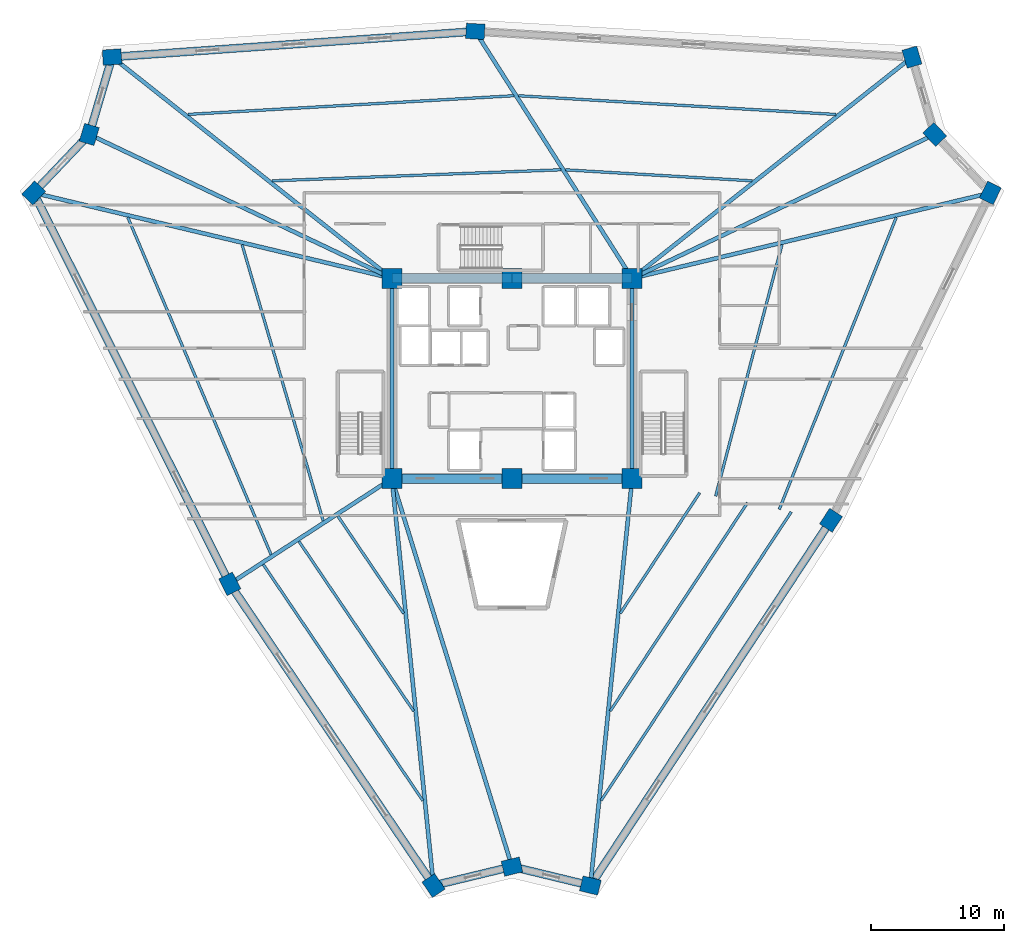
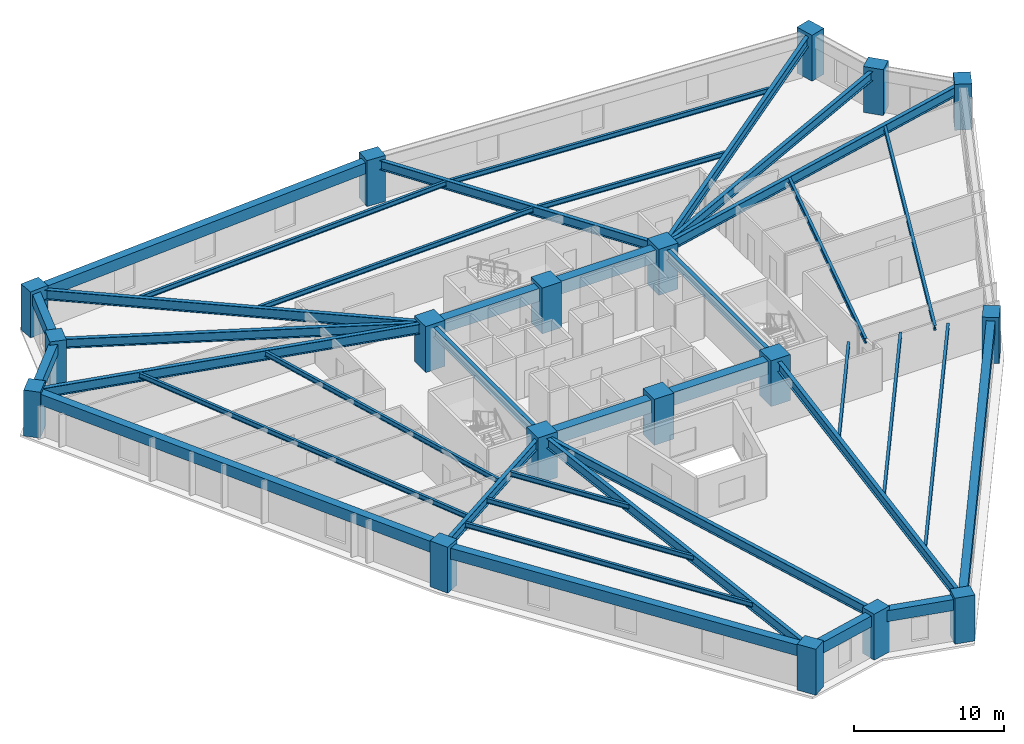
# One storey, part 1 of 8: 39 beams, 18 columns.
"""IFC4 building model written with IfcOpenShell, lengths in metres."""

from ifc_helpers import new_model, si_unit, direction, frame, origin, origin_2d, place, context, subcontext, project, spatial, rectangle, i_section, extrude, source, transform, mapped, material, material_profile, profile_set, type_object, element, save


model = new_model("IFC4")

# Units and contexts
model_context = context("Model", 3, precision=1e-05, world=origin(), true_north=direction((0.0, 1.0)))
body_context = subcontext(model_context, "Body", "Model", "MODEL_VIEW")
ifc_project = project(units=[si_unit("LENGTHUNIT", "METRE"), si_unit("AREAUNIT", "SQUARE_METRE"), si_unit("VOLUMEUNIT", "CUBIC_METRE"), si_unit("PLANEANGLEUNIT", "RADIAN"), si_unit("MASSUNIT", "GRAM", prefix="KILO")], contexts=[model_context])

# Site, building, storey
site_placement = place(None, origin())
site = spatial("IfcSite", under=ifc_project, at=site_placement, CompositionType="ELEMENT")
building_placement = place(site_placement, origin())
building = spatial("IfcBuilding", under=site, at=building_placement, Name="Liaohun Quay Tower", CompositionType="ELEMENT")
storey_placement = place(building_placement, frame((0.0, 0.0, 135.75)))
storey = spatial("IfcBuildingStorey", under=building, at=storey_placement, Name="L35", CompositionType="ELEMENT", Elevation=135.75)

# Columns
ifc_material_1 = material(Name="Concrete C60", Category="concrete")
ifc_material_profile_1 = material_profile(ifc_material_1, rectangle(XDim=1.5, YDim=1.5, at=origin_2d()), Name="RC1500x1500")
ifc_profile_set_1 = profile_set([ifc_material_profile_1], Name="Concrete C60")
column_type_1 = type_object("IfcColumnType", Name="COL-CC-Z2", PredefinedType="COLUMN", material=ifc_profile_set_1)
shared_shape_1 = source(origin(), body_context, "Body", "SweptSolid", [
    extrude(rectangle(XDim=1.5, YDim=1.5, at=origin_2d()), origin(), (0.0, 0.0, 1.0), 3.75),
])
for number, where, z_axis, x_axis, name in (
    (1, (51.0, 46.5, 0.0), (0.0, 0.0, 1.0), (1.0, 0.0, 0.0), "L35 Core Column CC1"),
    (2, (60.0, 46.5, 0.0), (0.0, 0.0, 1.0), (1.0, 0.0, 0.0), "L35 Core Column CC2"),
    (3, (69.0, 46.5, 0.0), (0.0, 0.0, 1.0), (1.0, 0.0, 0.0), "L35 Core Column CC3"),
    (4, (69.0, 61.5, 0.0), (0.0, 0.0, 1.0), (1.0, 0.0, 0.0), "L35 Core Column CC4"),
    (5, (60.0, 61.5, 0.0), (0.0, 0.0, 1.0), (1.0, 0.0, 0.0), "L35 Core Column CC5"),
    (6, (51.0, 61.5, 0.0), (0.0, 0.0, 1.0), (1.0, 0.0, 0.0), "L35 Core Column CC6"),
):
    element("IfcColumn", number, at=place(storey_placement, frame(where, z_axis=z_axis, x_axis=x_axis)), inside=storey, type_object=column_type_1, Name=name, PredefinedType="COLUMN", context=body_context, shape_type="MappedRepresentation", body=[
        mapped(shared_shape_1, transform((0.0, 0.0, 0.0), x_axis=(1.0, 0.0, 0.0), y_axis=(0.0, 1.0, 0.0), z_axis=(0.0, 0.0, 1.0), scale=1.0)),
    ])
ifc_material_profile_2 = material_profile(ifc_material_1, rectangle(XDim=1.39990234375, YDim=1.14990234375, at=origin_2d()), Name="RC1400x1150")
ifc_profile_set_2 = profile_set([ifc_material_profile_2], Name="Concrete C60")
column_type_2 = type_object("IfcColumnType", Name="COL-PIER-Z2", PredefinedType="COLUMN", material=ifc_profile_set_2)
shared_shape_2 = source(origin(), body_context, "Body", "SweptSolid", [
    extrude(rectangle(XDim=1.39990234375, YDim=1.14990234375, at=origin_2d()), origin(), (0.0, 0.0, 1.0), 3.75),
])
for number, where, z_axis, x_axis, name in (
    (7, (54.123046875, 16.014892578125, 0.0), (0.0, 0.0, 1.0), (-0.559771544562, 0.828646980263, 0.0), "L35 Perimeter Pier PC01"),
    (8, (38.85400390625, 38.616943359375, 0.0), (0.0, 0.0, 1.0), (-0.448071179262, 0.893997884961, 0.0), "L35 Perimeter Pier PC02"),
    (9, (24.1708984375, 67.908935546875, 0.0), (0.0, 0.0, 1.0), (0.68936671806, 0.724412539946, 0.0), "L35 Perimeter Pier PC03"),
    (10, (28.3330078125, 72.282958984375, 0.0), (0.0, 0.0, 1.0), (0.282676303383, 0.959215360337, 0.0), "L35 Perimeter Pier PC04"),
    (11, (30.04296875, 78.08203125, 0.0), (0.0, 0.0, 1.0), (0.997515107958, 0.070452887775, 0.0), "L35 Perimeter Pier PC05"),
    (12, (57.25, 80.00390625, 0.0), (0.0, 0.0, 1.0), (-0.998260468937, 0.058957918535, 0.0), "L35 Perimeter Pier PC06"),
    (13, (89.9599609375, 78.074951171875, 0.0), (0.0, 0.0, 1.0), (-0.282676303383, 0.959215360337, 0.0), "L35 Perimeter Pier PC07"),
    (14, (91.6669921875, 72.282958984375, 0.0), (0.0, 0.0, 1.0), (-0.68936671806, 0.724412539946, 0.0), "L35 Perimeter Pier PC08"),
    (15, (95.833984375, 67.903076171875, 0.0), (0.0, 0.0, 1.0), (0.437743563395, 0.899099868038, 0.0), "L35 Perimeter Pier PC09"),
    (16, (83.89501953125, 43.3798828125, 0.0), (0.0, 0.0, 1.0), (0.550043539327, 0.835135979853, 0.0), "L35 Perimeter Pier PC10"),
    (17, (65.8701171875, 16.01708984375, 0.0), (0.0, 0.0, 1.0), (-0.972043021443, 0.234802820391, 0.0), "L35 Perimeter Pier PC11"),
    (18, (60.0, 17.43408203125, 0.0), (0.0, 0.0, 1.0), (0.972043021443, 0.234802820391, 0.0), "L35 Perimeter Pier PC12"),
):
    element("IfcColumn", number, at=place(storey_placement, frame(where, z_axis=z_axis, x_axis=x_axis)), inside=storey, type_object=column_type_2, Name=name, PredefinedType="COLUMN", context=body_context, shape_type="MappedRepresentation", body=[
        mapped(shared_shape_2, transform((0.0, 0.0, 0.0), x_axis=(1.0, 0.0, 0.0), y_axis=(0.0, 1.0, 0.0), z_axis=(0.0, 0.0, 1.0), scale=1.0)),
    ])

# Beams
ifc_material_profile_3 = material_profile(ifc_material_1, rectangle(XDim=0.699951171875, YDim=1.050048828125, at=origin_2d()), Name="RC700x1050")
ifc_profile_set_3 = profile_set([ifc_material_profile_3], Name="Concrete C60")
beam_type_1 = type_object("IfcBeamType", Name="BM-CPL-1", PredefinedType="LINTEL", material=ifc_profile_set_3)
shared_shape_3 = source(origin(), body_context, "Body", "SweptSolid", [
    extrude(rectangle(XDim=0.699951171875, YDim=1.050048828125, at=origin_2d()), origin(), (0.0, 0.0, 1.0), 9.0),
])
for number, where, z_axis, x_axis, name in (
    (19, (51.0, 46.5, 2.945068359375), (1.0, 0.0, 0.0), (0.0, 1.0, 0.0), "L35 Core Coupling/Ring Beam CC1-CC2"),
    (20, (60.0, 46.5, 2.945068359375), (1.0, 0.0, 0.0), (0.0, 1.0, 0.0), "L35 Core Coupling/Ring Beam CC2-CC3"),
    (21, (69.0, 61.5, 2.945068359375), (-1.0, 0.0, 0.0), (0.0, -1.0, 0.0), "L35 Core Coupling/Ring Beam CC4-CC5"),
    (22, (60.0, 61.5, 2.945068359375), (-1.0, 0.0, 0.0), (0.0, -1.0, 0.0), "L35 Core Coupling/Ring Beam CC5-CC6"),
):
    element("IfcBeam", number, at=place(storey_placement, frame(where, z_axis=z_axis, x_axis=x_axis)), inside=storey, type_object=beam_type_1, Name=name, PredefinedType="LINTEL", context=body_context, shape_type="MappedRepresentation", body=[
        mapped(shared_shape_3, transform((0.0, 0.0, 0.0), x_axis=(1.0, 0.0, 0.0), y_axis=(0.0, 1.0, 0.0), z_axis=(0.0, 0.0, 1.0), scale=1.0)),
    ])
ifc_material_2 = material(Name="Steel Q355D", Category="steel")
ifc_material_profile_4 = material_profile(ifc_material_2, i_section(OverallWidth=0.300048828125, OverallDepth=0.800048828125, WebThickness=0.013916015625, FlangeThickness=0.02587890625, at=origin_2d()), Name="HN800x300x14x26")
ifc_profile_set_4 = profile_set([ifc_material_profile_4], Name="Steel Q355D")
beam_type_2 = type_object("IfcBeamType", Name="BM-RAD-M1", PredefinedType="BEAM", material=ifc_profile_set_4)
shared_shape_4 = source(origin(), body_context, "Body", "SweptSolid", [
    extrude(i_section(OverallWidth=0.300048828125, OverallDepth=0.800048828125, WebThickness=0.013916015625, FlangeThickness=0.02587890625, at=origin_2d()), origin(), (0.0, 0.0, 1.0), 15.0),
])
for number, where, z_axis, x_axis, name in (
    (23, (69.0, 46.5, 3.070068359375), (0.0, 1.0, 0.0), (-1.0, 0.0, 0.0), "L35 Core Coupling/Ring Beam CC3-CC4"),
    (24, (51.0, 61.5, 3.070068359375), (0.0, -1.0, 0.0), (1.0, 0.0, 0.0), "L35 Core Coupling/Ring Beam CC6-CC1"),
):
    element("IfcBeam", number, at=place(storey_placement, frame(where, z_axis=z_axis, x_axis=x_axis)), inside=storey, type_object=beam_type_2, Name=name, PredefinedType="BEAM", context=body_context, shape_type="MappedRepresentation", body=[
        mapped(shared_shape_4, transform((0.0, 0.0, 0.0), x_axis=(1.0, 0.0, 0.0), y_axis=(0.0, 1.0, 0.0), z_axis=(0.0, 0.0, 1.0), scale=1.0)),
    ])
shared_shape_5 = source(origin(), body_context, "Body", "SweptSolid", [
    extrude(i_section(OverallWidth=0.300048828125, OverallDepth=0.800048828125, WebThickness=0.013916015625, FlangeThickness=0.02587890625, at=origin_2d()), origin(), (0.0, 0.0, 1.0), 30.644775390625),
])
beam_1_placement = place(storey_placement, frame((51.0, 46.5, 3.070068359375), z_axis=(0.101911617186, -0.994793457097, 0.0), x_axis=(0.994793457097, 0.101911617186, 0.0)))
element("IfcBeam", 25, at=beam_1_placement, inside=storey, type_object=beam_type_2, Name="L35 Radial Primary Girder CC1-PC01", PredefinedType="BEAM", context=body_context, shape_type="MappedRepresentation", body=[
    mapped(shared_shape_5, transform((0.0, 0.0, 0.0), x_axis=(1.0, 0.0, 0.0), y_axis=(0.0, 1.0, 0.0), z_axis=(0.0, 0.0, 1.0), scale=1.0)),
])
ifc_material_profile_5 = material_profile(ifc_material_2, i_section(OverallWidth=0.300048828125, OverallDepth=0.75, WebThickness=0.013916015625, FlangeThickness=0.02587890625, at=origin_2d()), Name="HN750x300x14x26")
ifc_profile_set_5 = profile_set([ifc_material_profile_5], Name="Steel Q355D")
beam_type_3 = type_object("IfcBeamType", Name="BM-RAD-M2", PredefinedType="BEAM", material=ifc_profile_set_5)
shared_shape_6 = source(origin(), body_context, "Body", "SweptSolid", [
    extrude(i_section(OverallWidth=0.300048828125, OverallDepth=0.75, WebThickness=0.013916015625, FlangeThickness=0.02587890625, at=origin_2d()), origin(), (0.0, 0.0, 1.0), 14.47998046875),
])
beam_2_placement = place(storey_placement, frame((51.0, 46.5, 3.094970703125), z_axis=(-0.838817079565, -0.544413360444, 0.0), x_axis=(0.544413360444, -0.838817079565, 0.0)))
element("IfcBeam", 26, at=beam_2_placement, inside=storey, type_object=beam_type_3, Name="L35 Radial Primary Girder CC1-PC02", PredefinedType="BEAM", context=body_context, shape_type="MappedRepresentation", body=[
    mapped(shared_shape_6, transform((0.0, 0.0, 0.0), x_axis=(1.0, 0.0, 0.0), y_axis=(0.0, 1.0, 0.0), z_axis=(0.0, 0.0, 1.0), scale=1.0)),
])
shared_shape_7 = source(origin(), body_context, "Body", "SweptSolid", [
    extrude(i_section(OverallWidth=0.300048828125, OverallDepth=0.800048828125, WebThickness=0.013916015625, FlangeThickness=0.02587890625, at=origin_2d()), origin(), (0.0, 0.0, 1.0), 27.583984375),
])
beam_3_placement = place(storey_placement, frame((51.0, 61.5, 3.070068359375), z_axis=(-0.972633963366, 0.232342792672, 0.0), x_axis=(-0.232342792672, -0.972633963366, 0.0)))
element("IfcBeam", 27, at=beam_3_placement, inside=storey, type_object=beam_type_2, Name="L35 Radial Primary Girder CC6-PC03", PredefinedType="BEAM", context=body_context, shape_type="MappedRepresentation", body=[
    mapped(shared_shape_7, transform((0.0, 0.0, 0.0), x_axis=(1.0, 0.0, 0.0), y_axis=(0.0, 1.0, 0.0), z_axis=(0.0, 0.0, 1.0), scale=1.0)),
])
shared_shape_8 = source(origin(), body_context, "Body", "SweptSolid", [
    extrude(i_section(OverallWidth=0.300048828125, OverallDepth=0.75, WebThickness=0.013916015625, FlangeThickness=0.02587890625, at=origin_2d()), origin(), (0.0, 0.0, 1.0), 25.10107421875),
])
for number, where, z_axis, x_axis, name in (
    (28, (51.0, 61.5, 3.094970703125), (-0.903028188257, 0.429581297561, 0.0), (-0.429581297561, -0.903028188257, 0.0), "L35 Radial Primary Girder CC6-PC04"),
    (29, (69.0, 61.5, 3.094970703125), (0.903028188257, 0.429581297561, 0.0), (-0.429581297561, 0.903028188257, 0.0), "L35 Radial Primary Girder CC4-PC08"),
):
    element("IfcBeam", number, at=place(storey_placement, frame(where, z_axis=z_axis, x_axis=x_axis)), inside=storey, type_object=beam_type_3, Name=name, PredefinedType="BEAM", context=body_context, shape_type="MappedRepresentation", body=[
        mapped(shared_shape_8, transform((0.0, 0.0, 0.0), x_axis=(1.0, 0.0, 0.0), y_axis=(0.0, 1.0, 0.0), z_axis=(0.0, 0.0, 1.0), scale=1.0)),
    ])
shared_shape_9 = source(origin(), body_context, "Body", "SweptSolid", [
    extrude(i_section(OverallWidth=0.300048828125, OverallDepth=0.800048828125, WebThickness=0.013916015625, FlangeThickness=0.02587890625, at=origin_2d()), origin(), (0.0, 0.0, 1.0), 26.723876953125),
])
beam_4_placement = place(storey_placement, frame((51.0, 61.5, 3.070068359375), z_axis=(-0.784208816597, 0.620497003999, 0.0), x_axis=(-0.620497003999, -0.784208816597, 0.0)))
element("IfcBeam", 30, at=beam_4_placement, inside=storey, type_object=beam_type_2, Name="L35 Radial Primary Girder CC6-PC05", PredefinedType="BEAM", context=body_context, shape_type="MappedRepresentation", body=[
    mapped(shared_shape_9, transform((0.0, 0.0, 0.0), x_axis=(1.0, 0.0, 0.0), y_axis=(0.0, 1.0, 0.0), z_axis=(0.0, 0.0, 1.0), scale=1.0)),
])
shared_shape_10 = source(origin(), body_context, "Body", "SweptSolid", [
    extrude(i_section(OverallWidth=0.300048828125, OverallDepth=0.75, WebThickness=0.013916015625, FlangeThickness=0.02587890625, at=origin_2d()), origin(), (0.0, 0.0, 1.0), 21.91943359375),
])
beam_5_placement = place(storey_placement, frame((69.0, 61.5, 3.094970703125), z_axis=(-0.536056520404, 0.844182093468, 0.0), x_axis=(-0.844182093468, -0.536056520404, 0.0)))
element("IfcBeam", 31, at=beam_5_placement, inside=storey, type_object=beam_type_3, Name="L35 Radial Primary Girder CC4-PC06", PredefinedType="BEAM", context=body_context, shape_type="MappedRepresentation", body=[
    mapped(shared_shape_10, transform((0.0, 0.0, 0.0), x_axis=(1.0, 0.0, 0.0), y_axis=(0.0, 1.0, 0.0), z_axis=(0.0, 0.0, 1.0), scale=1.0)),
])
shared_shape_11 = source(origin(), body_context, "Body", "SweptSolid", [
    extrude(i_section(OverallWidth=0.300048828125, OverallDepth=0.800048828125, WebThickness=0.013916015625, FlangeThickness=0.02587890625, at=origin_2d()), origin(), (0.0, 0.0, 1.0), 26.7216796875),
])
beam_6_placement = place(storey_placement, frame((69.0, 61.5, 3.070068359375), z_axis=(0.784379926312, 0.62028068743, 0.0), x_axis=(-0.62028068743, 0.784379926312, 0.0)))
element("IfcBeam", 32, at=beam_6_placement, inside=storey, type_object=beam_type_2, Name="L35 Radial Primary Girder CC4-PC07", PredefinedType="BEAM", context=body_context, shape_type="MappedRepresentation", body=[
    mapped(shared_shape_11, transform((0.0, 0.0, 0.0), x_axis=(1.0, 0.0, 0.0), y_axis=(0.0, 1.0, 0.0), z_axis=(0.0, 0.0, 1.0), scale=1.0)),
])
shared_shape_12 = source(origin(), body_context, "Body", "SweptSolid", [
    extrude(i_section(OverallWidth=0.300048828125, OverallDepth=0.800048828125, WebThickness=0.013916015625, FlangeThickness=0.02587890625, at=origin_2d()), origin(), (0.0, 0.0, 1.0), 27.58740234375),
])
beam_7_placement = place(storey_placement, frame((69.0, 61.5, 3.070068359375), z_axis=(0.972691485896, 0.232101859675, 0.0), x_axis=(-0.232101859675, 0.972691485896, 0.0)))
element("IfcBeam", 33, at=beam_7_placement, inside=storey, type_object=beam_type_2, Name="L35 Radial Primary Girder CC4-PC09", PredefinedType="BEAM", context=body_context, shape_type="MappedRepresentation", body=[
    mapped(shared_shape_12, transform((0.0, 0.0, 0.0), x_axis=(1.0, 0.0, 0.0), y_axis=(0.0, 1.0, 0.0), z_axis=(0.0, 0.0, 1.0), scale=1.0)),
])
shared_shape_13 = source(origin(), body_context, "Body", "SweptSolid", [
    extrude(i_section(OverallWidth=0.300048828125, OverallDepth=0.800048828125, WebThickness=0.013916015625, FlangeThickness=0.02587890625, at=origin_2d()), origin(), (0.0, 0.0, 1.0), 30.64306640625),
])
beam_8_placement = place(storey_placement, frame((69.0, 46.5, 3.070068359375), z_axis=(-0.102139649017, -0.994770069965, 0.0), x_axis=(0.994770069965, -0.102139649017, 0.0)))
element("IfcBeam", 34, at=beam_8_placement, inside=storey, type_object=beam_type_2, Name="L35 Radial Primary Girder CC3-PC11", PredefinedType="BEAM", context=body_context, shape_type="MappedRepresentation", body=[
    mapped(shared_shape_13, transform((0.0, 0.0, 0.0), x_axis=(1.0, 0.0, 0.0), y_axis=(0.0, 1.0, 0.0), z_axis=(0.0, 0.0, 1.0), scale=1.0)),
])
shared_shape_14 = source(origin(), body_context, "Body", "SweptSolid", [
    extrude(i_section(OverallWidth=0.300048828125, OverallDepth=0.75, WebThickness=0.013916015625, FlangeThickness=0.02587890625, at=origin_2d()), origin(), (0.0, 0.0, 1.0), 30.427490234375),
])
beam_9_placement = place(storey_placement, frame((51.0, 46.5, 3.094970703125), z_axis=(0.295785888535, -0.955254263609, 0.0), x_axis=(0.955254263609, 0.295785888535, 0.0)))
element("IfcBeam", 35, at=beam_9_placement, inside=storey, type_object=beam_type_3, Name="L35 Radial Primary Girder CC1-PC12", PredefinedType="BEAM", context=body_context, shape_type="MappedRepresentation", body=[
    mapped(shared_shape_14, transform((0.0, 0.0, 0.0), x_axis=(1.0, 0.0, 0.0), y_axis=(0.0, 1.0, 0.0), z_axis=(0.0, 0.0, 1.0), scale=1.0)),
])
ifc_material_profile_6 = material_profile(ifc_material_2, i_section(OverallWidth=0.199951171875, OverallDepth=0.39990234375, WebThickness=0.008056640625, FlangeThickness=0.012939453125, at=origin_2d()), Name="HN400x200x8x13")
ifc_profile_set_6 = profile_set([ifc_material_profile_6], Name="Steel Q355D")
beam_type_4 = type_object("IfcBeamType", Name="BM-SEC-J2", PredefinedType="JOIST", material=ifc_profile_set_6)
shared_shape_15 = source(origin(), body_context, "Body", "SweptSolid", [
    extrude(i_section(OverallWidth=0.199951171875, OverallDepth=0.39990234375, WebThickness=0.008056640625, FlangeThickness=0.012939453125, at=origin_2d()), origin(), (0.0, 0.0, 1.0), 8.806396484375),
])
beam_10_placement = place(storey_placement, frame((51.884033203125, 36.39794921875, 3.27001953125), z_axis=(-0.559814199059, 0.828618164496, 0.0), x_axis=(-0.828618164496, -0.559814199059, 0.0)))
element("IfcBeam", 36, at=beam_10_placement, inside=storey, type_object=beam_type_4, Name="L35 Wing Secondary Floor Joist SJ-01", PredefinedType="JOIST", context=body_context, shape_type="MappedRepresentation", body=[
    mapped(shared_shape_15, transform((0.0, 0.0, 0.0), x_axis=(1.0, 0.0, 0.0), y_axis=(0.0, 1.0, 0.0), z_axis=(0.0, 0.0, 1.0), scale=1.0)),
])
shared_shape_16 = source(origin(), body_context, "Body", "SweptSolid", [
    extrude(i_section(OverallWidth=0.199951171875, OverallDepth=0.39990234375, WebThickness=0.008056640625, FlangeThickness=0.012939453125, at=origin_2d()), origin(), (0.0, 0.0, 1.0), 15.353271484375),
])
beam_11_placement = place(storey_placement, frame((52.634033203125, 29.08203125, 3.27001953125), z_axis=(-0.559816101491, 0.82861687921, 0.0), x_axis=(-0.82861687921, -0.559816101491, 0.0)))
element("IfcBeam", 37, at=beam_11_placement, inside=storey, type_object=beam_type_4, Name="L35 Wing Secondary Floor Joist SJ-02", PredefinedType="JOIST", context=body_context, shape_type="MappedRepresentation", body=[
    mapped(shared_shape_16, transform((0.0, 0.0, 0.0), x_axis=(1.0, 0.0, 0.0), y_axis=(0.0, 1.0, 0.0), z_axis=(0.0, 0.0, 1.0), scale=1.0)),
])
shared_shape_17 = source(origin(), body_context, "Body", "SweptSolid", [
    extrude(i_section(OverallWidth=0.199951171875, OverallDepth=0.39990234375, WebThickness=0.008056640625, FlangeThickness=0.012939453125, at=origin_2d()), origin(), (0.0, 0.0, 1.0), 21.353759765625),
])
beam_12_placement = place(storey_placement, frame((53.321044921875, 22.375, 3.27001953125), z_axis=(-0.559813495441, 0.828618639859, 0.0), x_axis=(-0.828618639859, -0.559813495441, 0.0)))
element("IfcBeam", 38, at=beam_12_placement, inside=storey, type_object=beam_type_4, Name="L35 Wing Secondary Floor Joist SJ-03", PredefinedType="JOIST", context=body_context, shape_type="MappedRepresentation", body=[
    mapped(shared_shape_17, transform((0.0, 0.0, 0.0), x_axis=(1.0, 0.0, 0.0), y_axis=(0.0, 1.0, 0.0), z_axis=(0.0, 0.0, 1.0), scale=1.0)),
])
shared_shape_18 = source(origin(), body_context, "Body", "SweptSolid", [
    extrude(i_section(OverallWidth=0.199951171875, OverallDepth=0.39990234375, WebThickness=0.008056640625, FlangeThickness=0.012939453125, at=origin_2d()), origin(), (0.0, 0.0, 1.0), 21.56005859375),
])
beam_13_placement = place(storey_placement, frame((45.85498046875, 43.339111328125, 3.27001953125), z_axis=(-0.281723657819, 0.959495586558, 0.0), x_axis=(-0.959495586558, -0.281723657819, 0.0)))
element("IfcBeam", 39, at=beam_13_placement, inside=storey, type_object=beam_type_4, Name="L35 Wing Secondary Floor Joist SJ-04", PredefinedType="JOIST", context=body_context, shape_type="MappedRepresentation", body=[
    mapped(shared_shape_18, transform((0.0, 0.0, 0.0), x_axis=(1.0, 0.0, 0.0), y_axis=(0.0, 1.0, 0.0), z_axis=(0.0, 0.0, 1.0), scale=1.0)),
])
shared_shape_19 = source(origin(), body_context, "Body", "SweptSolid", [
    extrude(i_section(OverallWidth=0.199951171875, OverallDepth=0.39990234375, WebThickness=0.008056640625, FlangeThickness=0.012939453125, at=origin_2d()), origin(), (0.0, 0.0, 1.0), 27.449462890625),
])
beam_14_placement = place(storey_placement, frame((41.951904296875, 40.806884765625, 3.27001953125), z_axis=(-0.391006164002, 0.920388059306, 0.0), x_axis=(-0.920388059306, -0.391006164002, 0.0)))
element("IfcBeam", 40, at=beam_14_placement, inside=storey, type_object=beam_type_4, Name="L35 Wing Secondary Floor Joist SJ-05", PredefinedType="JOIST", context=body_context, shape_type="MappedRepresentation", body=[
    mapped(shared_shape_19, transform((0.0, 0.0, 0.0), x_axis=(1.0, 0.0, 0.0), y_axis=(0.0, 1.0, 0.0), z_axis=(0.0, 0.0, 1.0), scale=1.0)),
])
shared_shape_20 = source(origin(), body_context, "Body", "SweptSolid", [
    extrude(i_section(OverallWidth=0.199951171875, OverallDepth=0.39990234375, WebThickness=0.008056640625, FlangeThickness=0.012939453125, at=origin_2d()), origin(), (0.0, 0.0, 1.0), 21.663818359375),
])
beam_15_placement = place(storey_placement, frame((42.009033203125, 68.804931640625, 3.27001953125), z_axis=(0.999265662278, 0.038316265386, 0.0), x_axis=(-0.038316265386, 0.999265662278, 0.0)))
element("IfcBeam", 41, at=beam_15_placement, inside=storey, type_object=beam_type_4, Name="L35 Wing Secondary Floor Joist SJ-06", PredefinedType="JOIST", context=body_context, shape_type="MappedRepresentation", body=[
    mapped(shared_shape_20, transform((0.0, 0.0, 0.0), x_axis=(1.0, 0.0, 0.0), y_axis=(0.0, 1.0, 0.0), z_axis=(0.0, 0.0, 1.0), scale=1.0)),
])
shared_shape_21 = source(origin(), body_context, "Body", "SweptSolid", [
    extrude(i_section(OverallWidth=0.199951171875, OverallDepth=0.39990234375, WebThickness=0.008056640625, FlangeThickness=0.012939453125, at=origin_2d()), origin(), (0.0, 0.0, 1.0), 24.45703125),
])
beam_16_placement = place(storey_placement, frame((35.717041015625, 73.783935546875, 3.27001953125), z_axis=(0.998362208358, 0.057209273048, 0.0), x_axis=(-0.057209273048, 0.998362208358, 0.0)))
element("IfcBeam", 42, at=beam_16_placement, inside=storey, type_object=beam_type_4, Name="L35 Wing Secondary Floor Joist SJ-07", PredefinedType="JOIST", context=body_context, shape_type="MappedRepresentation", body=[
    mapped(shared_shape_21, transform((0.0, 0.0, 0.0), x_axis=(1.0, 0.0, 0.0), y_axis=(0.0, 1.0, 0.0), z_axis=(0.0, 0.0, 1.0), scale=1.0)),
])
shared_shape_22 = source(origin(), body_context, "Body", "SweptSolid", [
    extrude(i_section(OverallWidth=0.199951171875, OverallDepth=0.39990234375, WebThickness=0.008056640625, FlangeThickness=0.012939453125, at=origin_2d()), origin(), (0.0, 0.0, 1.0), 14.006591796875),
])
beam_17_placement = place(storey_placement, frame((64.014892578125, 69.631103515625, 3.27001953125), z_axis=(0.998262994608, -0.058915138932, 0.0), x_axis=(0.058915138932, 0.998262994608, 0.0)))
element("IfcBeam", 43, at=beam_17_placement, inside=storey, type_object=beam_type_4, Name="L35 Wing Secondary Floor Joist SJ-08", PredefinedType="JOIST", context=body_context, shape_type="MappedRepresentation", body=[
    mapped(shared_shape_22, transform((0.0, 0.0, 0.0), x_axis=(1.0, 0.0, 0.0), y_axis=(0.0, 1.0, 0.0), z_axis=(0.0, 0.0, 1.0), scale=1.0)),
])
shared_shape_23 = source(origin(), body_context, "Body", "SweptSolid", [
    extrude(i_section(OverallWidth=0.199951171875, OverallDepth=0.39990234375, WebThickness=0.008056640625, FlangeThickness=0.012939453125, at=origin_2d()), origin(), (0.0, 0.0, 1.0), 23.836181640625),
])
beam_18_placement = place(storey_placement, frame((60.489990234375, 75.181884765625, 3.27001953125), z_axis=(0.998266665124, -0.058852912437, 0.0), x_axis=(0.058852912437, 0.998266665124, 0.0)))
element("IfcBeam", 44, at=beam_18_placement, inside=storey, type_object=beam_type_4, Name="L35 Wing Secondary Floor Joist SJ-09", PredefinedType="JOIST", context=body_context, shape_type="MappedRepresentation", body=[
    mapped(shared_shape_23, transform((0.0, 0.0, 0.0), x_axis=(1.0, 0.0, 0.0), y_axis=(0.0, 1.0, 0.0), z_axis=(0.0, 0.0, 1.0), scale=1.0)),
])
shared_shape_24 = source(origin(), body_context, "Body", "SweptSolid", [
    extrude(i_section(OverallWidth=0.199951171875, OverallDepth=0.39990234375, WebThickness=0.008056640625, FlangeThickness=0.012939453125, at=origin_2d()), origin(), (0.0, 0.0, 1.0), 19.47998046875),
])
beam_19_placement = place(storey_placement, frame((80.22705078125, 64.02490234375, 3.27001953125), z_axis=(-0.255183553654, -0.96689262793, 0.0), x_axis=(0.96689262793, -0.255183553654, 0.0)))
element("IfcBeam", 45, at=beam_19_placement, inside=storey, type_object=beam_type_4, Name="L35 Wing Secondary Floor Joist SJ-10", PredefinedType="JOIST", context=body_context, shape_type="MappedRepresentation", body=[
    mapped(shared_shape_24, transform((0.0, 0.0, 0.0), x_axis=(1.0, 0.0, 0.0), y_axis=(0.0, 1.0, 0.0), z_axis=(0.0, 0.0, 1.0), scale=1.0)),
])
shared_shape_25 = source(origin(), body_context, "Body", "SweptSolid", [
    extrude(i_section(OverallWidth=0.199951171875, OverallDepth=0.39990234375, WebThickness=0.008056640625, FlangeThickness=0.012939453125, at=origin_2d()), origin(), (0.0, 0.0, 1.0), 23.568603515625),
])
beam_20_placement = place(storey_placement, frame((88.7890625, 66.068115234375, 3.27001953125), z_axis=(-0.371983551094, -0.928239321358, 0.0), x_axis=(0.928239321358, -0.371983551094, 0.0)))
element("IfcBeam", 46, at=beam_20_placement, inside=storey, type_object=beam_type_4, Name="L35 Wing Secondary Floor Joist SJ-11", PredefinedType="JOIST", context=body_context, shape_type="MappedRepresentation", body=[
    mapped(shared_shape_25, transform((0.0, 0.0, 0.0), x_axis=(1.0, 0.0, 0.0), y_axis=(0.0, 1.0, 0.0), z_axis=(0.0, 0.0, 1.0), scale=1.0)),
])
shared_shape_26 = source(origin(), body_context, "Body", "SweptSolid", [
    extrude(i_section(OverallWidth=0.199951171875, OverallDepth=0.39990234375, WebThickness=0.008056640625, FlangeThickness=0.012939453125, at=origin_2d()), origin(), (0.0, 0.0, 1.0), 10.815673828125),
])
beam_21_placement = place(storey_placement, frame((74.06396484375, 45.43896484375, 3.27001953125), z_axis=(-0.550123433404, -0.835083353936, 0.0), x_axis=(0.835083353936, -0.550123433404, 0.0)))
element("IfcBeam", 47, at=beam_21_placement, inside=storey, type_object=beam_type_4, Name="L35 Wing Secondary Floor Joist SJ-12", PredefinedType="JOIST", context=body_context, shape_type="MappedRepresentation", body=[
    mapped(shared_shape_26, transform((0.0, 0.0, 0.0), x_axis=(1.0, 0.0, 0.0), y_axis=(0.0, 1.0, 0.0), z_axis=(0.0, 0.0, 1.0), scale=1.0)),
])
shared_shape_27 = source(origin(), body_context, "Body", "SweptSolid", [
    extrude(i_section(OverallWidth=0.199951171875, OverallDepth=0.39990234375, WebThickness=0.008056640625, FlangeThickness=0.012939453125, at=origin_2d()), origin(), (0.0, 0.0, 1.0), 18.679443359375),
])
beam_22_placement = place(storey_placement, frame((77.638916015625, 44.68994140625, 3.27001953125), z_axis=(-0.550119305896, -0.835086072977, 0.0), x_axis=(0.835086072977, -0.550119305896, 0.0)))
element("IfcBeam", 48, at=beam_22_placement, inside=storey, type_object=beam_type_4, Name="L35 Wing Secondary Floor Joist SJ-13", PredefinedType="JOIST", context=body_context, shape_type="MappedRepresentation", body=[
    mapped(shared_shape_27, transform((0.0, 0.0, 0.0), x_axis=(1.0, 0.0, 0.0), y_axis=(0.0, 1.0, 0.0), z_axis=(0.0, 0.0, 1.0), scale=1.0)),
])
shared_shape_28 = source(origin(), body_context, "Body", "SweptSolid", [
    extrude(i_section(OverallWidth=0.199951171875, OverallDepth=0.39990234375, WebThickness=0.008056640625, FlangeThickness=0.012939453125, at=origin_2d()), origin(), (0.0, 0.0, 1.0), 25.887939453125),
])
beam_23_placement = place(storey_placement, frame((80.916015625, 44.00390625, 3.27001953125), z_axis=(-0.550101909447, -0.83509753276, 0.0), x_axis=(0.83509753276, -0.550101909447, 0.0)))
element("IfcBeam", 49, at=beam_23_placement, inside=storey, type_object=beam_type_4, Name="L35 Wing Secondary Floor Joist SJ-14", PredefinedType="JOIST", context=body_context, shape_type="MappedRepresentation", body=[
    mapped(shared_shape_28, transform((0.0, 0.0, 0.0), x_axis=(1.0, 0.0, 0.0), y_axis=(0.0, 1.0, 0.0), z_axis=(0.0, 0.0, 1.0), scale=1.0)),
])
ifc_material_3 = material(Name="Precast concrete C55", Category="concrete")
ifc_material_profile_7 = material_profile(ifc_material_3, rectangle(XDim=0.60009765625, YDim=0.89990234375, at=origin_2d()), Name="RC600x900")
ifc_profile_set_7 = profile_set([ifc_material_profile_7], Name="Precast concrete C55")
beam_type_5 = type_object("IfcBeamType", Name="BM-SPD-Z2", PredefinedType="SPANDREL", material=ifc_profile_set_7)
shared_shape_29 = source(origin(), body_context, "Body", "SweptSolid", [
    extrude(rectangle(XDim=0.60009765625, YDim=0.89990234375, at=origin_2d()), origin(), (0.0, 0.0, 1.0), 27.2763671875),
])
beam_24_placement = place(storey_placement, frame((54.123046875, 16.014892578125, 3.02001953125), z_axis=(-0.559791639733, 0.828633405123, 0.0), x_axis=(-0.828633405123, -0.559791639733, 0.0)))
element("IfcBeam", 50, at=beam_24_placement, inside=storey, type_object=beam_type_5, Name="L35 Precast Spandrel Beam PC01-PC02", PredefinedType="SPANDREL", context=body_context, shape_type="MappedRepresentation", body=[
    mapped(shared_shape_29, transform((0.0, 0.0, 0.0), x_axis=(1.0, 0.0, 0.0), y_axis=(0.0, 1.0, 0.0), z_axis=(0.0, 0.0, 1.0), scale=1.0)),
])
shared_shape_30 = source(origin(), body_context, "Body", "SweptSolid", [
    extrude(rectangle(XDim=0.60009765625, YDim=0.89990234375, at=origin_2d()), origin(), (0.0, 0.0, 1.0), 32.76611328125),
])
for number, where, z_axis, x_axis, name in (
    (51, (38.85400390625, 38.616943359375, 3.02001953125), (-0.448119410414, 0.89397370991, 0.0), (-0.89397370991, -0.448119410414, 0.0), "L35 Precast Spandrel Beam PC02-PC03"),
    (52, (83.89501953125, 43.3798828125, 3.02001953125), (-0.550107690194, -0.835093724794, 0.0), (0.835093724794, -0.550107690194, 0.0), "L35 Precast Spandrel Beam PC10-PC11"),
):
    element("IfcBeam", number, at=place(storey_placement, frame(where, z_axis=z_axis, x_axis=x_axis)), inside=storey, type_object=beam_type_5, Name=name, PredefinedType="SPANDREL", context=body_context, shape_type="MappedRepresentation", body=[
        mapped(shared_shape_30, transform((0.0, 0.0, 0.0), x_axis=(1.0, 0.0, 0.0), y_axis=(0.0, 1.0, 0.0), z_axis=(0.0, 0.0, 1.0), scale=1.0)),
    ])
shared_shape_31 = source(origin(), body_context, "Body", "SweptSolid", [
    extrude(rectangle(XDim=0.60009765625, YDim=0.89990234375, at=origin_2d()), origin(), (0.0, 0.0, 1.0), 6.037841796875),
])
beam_25_placement = place(storey_placement, frame((24.1708984375, 67.908935546875, 3.02001953125), z_axis=(0.689340087254, 0.724437881467, 0.0), x_axis=(-0.724437881467, 0.689340087254, 0.0)))
element("IfcBeam", 53, at=beam_25_placement, inside=storey, type_object=beam_type_5, Name="L35 Precast Spandrel Beam PC03-PC04", PredefinedType="SPANDREL", context=body_context, shape_type="MappedRepresentation", body=[
    mapped(shared_shape_31, transform((0.0, 0.0, 0.0), x_axis=(1.0, 0.0, 0.0), y_axis=(0.0, 1.0, 0.0), z_axis=(0.0, 0.0, 1.0), scale=1.0)),
])
shared_shape_32 = source(origin(), body_context, "Body", "SweptSolid", [
    extrude(rectangle(XDim=0.60009765625, YDim=0.89990234375, at=origin_2d()), origin(), (0.0, 0.0, 1.0), 6.0458984375),
])
for number, where, z_axis, x_axis, name in (
    (54, (28.3330078125, 72.282958984375, 3.02001953125), (0.282828685548, 0.959170440866, 0.0), (-0.959170440866, 0.282828685548, 0.0), "L35 Precast Spandrel Beam PC04-PC05"),
    (55, (60.0, 17.43408203125, 3.02001953125), (-0.972059018601, -0.234736585042, 0.0), (0.234736585042, -0.972059018601, 0.0), "L35 Precast Spandrel Beam PC12-PC01"),
):
    element("IfcBeam", number, at=place(storey_placement, frame(where, z_axis=z_axis, x_axis=x_axis)), inside=storey, type_object=beam_type_5, Name=name, PredefinedType="SPANDREL", context=body_context, shape_type="MappedRepresentation", body=[
        mapped(shared_shape_32, transform((0.0, 0.0, 0.0), x_axis=(1.0, 0.0, 0.0), y_axis=(0.0, 1.0, 0.0), z_axis=(0.0, 0.0, 1.0), scale=1.0)),
    ])
shared_shape_33 = source(origin(), body_context, "Body", "SweptSolid", [
    extrude(rectangle(XDim=0.60009765625, YDim=0.89990234375, at=origin_2d()), origin(), (0.0, 0.0, 1.0), 27.27490234375),
])
beam_26_placement = place(storey_placement, frame((30.04296875, 78.08203125, 3.02001953125), z_axis=(0.99751437062, 0.070463326683, 0.0), x_axis=(-0.070463326683, 0.99751437062, 0.0)))
element("IfcBeam", 56, at=beam_26_placement, inside=storey, type_object=beam_type_5, Name="L35 Precast Spandrel Beam PC05-PC06", PredefinedType="SPANDREL", context=body_context, shape_type="MappedRepresentation", body=[
    mapped(shared_shape_33, transform((0.0, 0.0, 0.0), x_axis=(1.0, 0.0, 0.0), y_axis=(0.0, 1.0, 0.0), z_axis=(0.0, 0.0, 1.0), scale=1.0)),
])
shared_shape_34 = source(origin(), body_context, "Body", "SweptSolid", [
    extrude(rectangle(XDim=0.60009765625, YDim=0.89990234375, at=origin_2d()), origin(), (0.0, 0.0, 1.0), 6.038818359375),
])
beam_27_placement = place(storey_placement, frame((65.8701171875, 16.01708984375, 3.02001953125), z_axis=(-0.972079664656, 0.234651071938, 0.0), x_axis=(-0.234651071938, -0.972079664656, 0.0)))
element("IfcBeam", 57, at=beam_27_placement, inside=storey, type_object=beam_type_5, Name="L35 Precast Spandrel Beam PC11-PC12", PredefinedType="SPANDREL", context=body_context, shape_type="MappedRepresentation", body=[
    mapped(shared_shape_34, transform((0.0, 0.0, 0.0), x_axis=(1.0, 0.0, 0.0), y_axis=(0.0, 1.0, 0.0), z_axis=(0.0, 0.0, 1.0), scale=1.0)),
])

save(model, "model.ifc")
